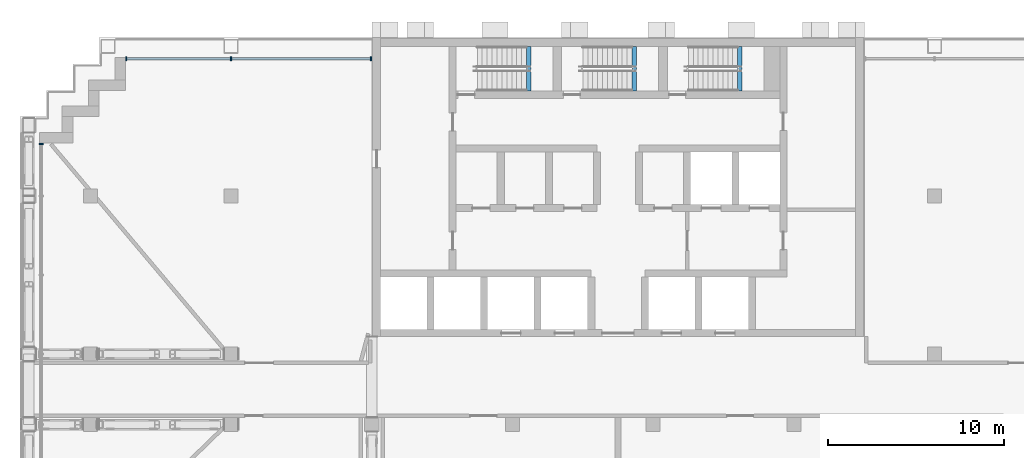
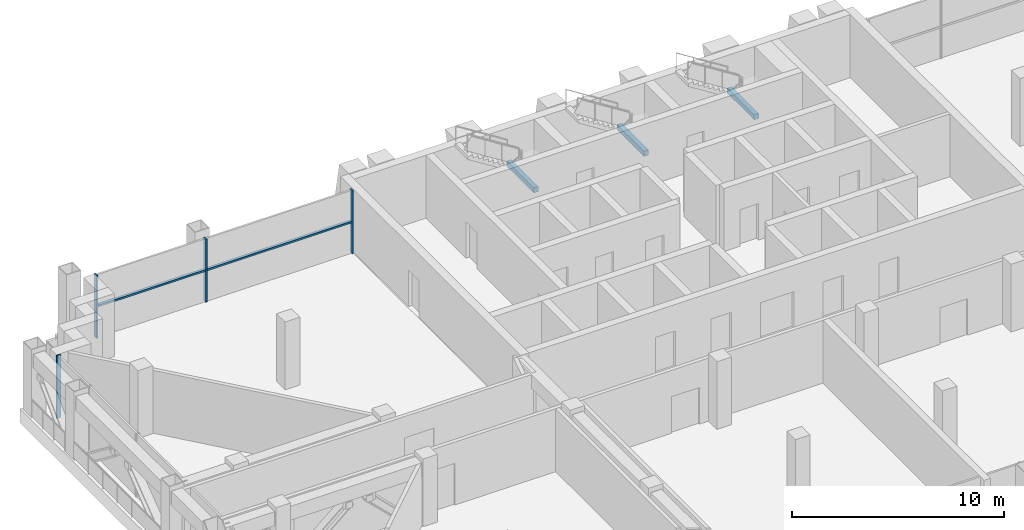
# One storey, part 5 of 25: 6 members, 3 beams, 2 elements without a shape of their own.
"""IFC4 building model written with IfcOpenShell, lengths in metres."""

from ifc_helpers import new_model, si_unit, direction, frame, origin, origin_2d, place, context, subcontext, project, spatial, rectangle, extrude, material, material_profile, profile_set, type_object, element, aggregate, save


model = new_model("IFC4")

# Units and contexts
model_context = context("Model", 3, precision=1e-05, world=origin(), true_north=direction((0.0, 1.0)))
body_context = subcontext(model_context, "Body", "Model", "MODEL_VIEW")
ifc_project = project(units=[si_unit("LENGTHUNIT", "METRE"), si_unit("AREAUNIT", "SQUARE_METRE"), si_unit("VOLUMEUNIT", "CUBIC_METRE"), si_unit("PLANEANGLEUNIT", "RADIAN"), si_unit("MASSUNIT", "GRAM", prefix="KILO")], contexts=[model_context])

# Site, building, storey
site_placement = place(None, origin())
site = spatial("IfcSite", under=ifc_project, at=site_placement, CompositionType="ELEMENT")
building_placement = place(site_placement, origin())
building = spatial("IfcBuilding", under=site, at=building_placement, Name="Vidyagriha Tower", CompositionType="ELEMENT")
storey_placement = place(building_placement, frame((0.0, 0.0, 115.89990234375)))
storey = spatial("IfcBuildingStorey", under=building, at=storey_placement, Name="L29", CompositionType="ELEMENT", Elevation=115.89990234375)

# Curtain wall, members
ifc_material_1 = material(Name="Aluminium and glass curtain wall", Category="aluminium")
curtain_wall_type = type_object("IfcCurtainWallType", Name="Plant louvre wall", PredefinedType="USERDEFINED", material=ifc_material_1)
curtain_wall_1_placement = place(storey_placement, origin())
curtain_wall_1 = element("IfcCurtainWall", 1, at=curtain_wall_1_placement, inside=storey, type_object=curtain_wall_type, Name="CW7 plant louvre wall", ObjectType="STICK GLAZING", PredefinedType="USERDEFINED")
ifc_material_2 = material(Name="Aluminium black anodised", Category="aluminium")
ifc_material_profile_1 = material_profile(ifc_material_2, rectangle(XDim=0.219970703125, YDim=0.080078125, at=origin_2d()), Name="Mullion 80x220 black aluminium")
ifc_profile_set_1 = profile_set([ifc_material_profile_1], Name="Aluminium black anodised")
member_type_1 = type_object("IfcMemberType", Name="Mullion 80x220 black aluminium", PredefinedType="MULLION", material=ifc_profile_set_1)
member_1_placement = place(storey_placement, frame((-14.0400390625, 18.800048828125, 0.0), z_axis=(0.0, 0.0, 1.0), x_axis=(0.0, -1.0, 0.0)))
member_1 = element("IfcMember", 2, at=member_1_placement, type_object=member_type_1, Name="CW7 mullion 1", PredefinedType="MULLION", context=body_context, shape_type="SweptSolid", body=[
    extrude(rectangle(XDim=0.219970703125, YDim=0.080078125, at=origin_2d()), origin(), (0.0, 0.0, 1.0), 3.6201171875),
])
member_2_placement = place(storey_placement, frame((-22.0, 18.800048828125, 0.0), z_axis=(0.0, 0.0, 1.0), x_axis=(0.0, -1.0, 0.0)))
member_2 = element("IfcMember", 3, at=member_2_placement, type_object=member_type_1, Name="CW7 mullion 2", PredefinedType="MULLION", context=body_context, shape_type="SweptSolid", body=[
    extrude(rectangle(XDim=0.219970703125, YDim=0.080078125, at=origin_2d()), origin(), (0.0, 0.0, 1.0), 3.6201171875),
])
member_3_placement = place(storey_placement, frame((-27.9599609375, 18.800048828125, 0.0), z_axis=(0.0, 0.0, 1.0), x_axis=(0.0, -1.0, 0.0)))
member_3 = element("IfcMember", 4, at=member_3_placement, type_object=member_type_1, Name="CW7 mullion 3", PredefinedType="MULLION", context=body_context, shape_type="SweptSolid", body=[
    extrude(rectangle(XDim=0.219970703125, YDim=0.080078125, at=origin_2d()), origin(), (0.0, 0.0, 1.0), 3.6201171875),
])

# Curtain wall, member
curtain_wall_2_placement = place(storey_placement, origin())
curtain_wall_2 = element("IfcCurtainWall", 5, at=curtain_wall_2_placement, inside=storey, type_object=curtain_wall_type, Name="CW7 plant louvre wall", ObjectType="STICK GLAZING", PredefinedType="USERDEFINED")
member_4_placement = place(storey_placement, frame((-32.800048828125, 13.9599609375, 0.0)))
member_4 = element("IfcMember", 6, at=member_4_placement, type_object=member_type_1, Name="CW7 mullion 1", PredefinedType="MULLION", context=body_context, shape_type="SweptSolid", body=[
    extrude(rectangle(XDim=0.219970703125, YDim=0.080078125, at=origin_2d()), origin(), (0.0, 0.0, 1.0), 3.6201171875),
])
aggregate(curtain_wall_2, [member_4])

# Beams
ifc_material_3 = material(Name="Concrete C40/50", Category="concrete")
ifc_material_profile_2 = material_profile(ifc_material_3, rectangle(XDim=0.25, YDim=0.300048828125, at=origin_2d()), Name="Stair landing bearing beam 250x300")
ifc_profile_set_2 = profile_set([ifc_material_profile_2], Name="Concrete C40/50")
beam_type = type_object("IfcBeamType", Name="Stair landing bearing beam 250x300", PredefinedType="BEAM", material=ifc_profile_set_2)
for number, where, z_axis, x_axis, name in (
    (7, (-5.074951171875, 16.949951171875, 1.60009765625), (0.0, 1.0, 0.0), (-1.0, 0.0, 0.0), "ST1 landing bearing beam L29"),
    (8, (0.925048828125, 16.949951171875, 1.60009765625), (0.0, 1.0, 0.0), (-1.0, 0.0, 0.0), "ST2 landing bearing beam L29"),
    (9, (6.925048828125, 16.949951171875, 1.60009765625), (0.0, 1.0, 0.0), (-1.0, 0.0, 0.0), "ST3 landing bearing beam L29"),
):
    element("IfcBeam", number, at=place(storey_placement, frame(where, z_axis=z_axis, x_axis=x_axis)), inside=storey, type_object=beam_type, Name=name, PredefinedType="BEAM", context=body_context, shape_type="SweptSolid", body=[
        extrude(rectangle(XDim=0.25, YDim=0.300048828125, at=origin_2d()), origin(), (0.0, 0.0, 1.0), 2.550048828125),
    ])

# Member
ifc_material_4 = material(Name="Aluminium black anodised", Category="aluminium")
ifc_material_profile_3 = material_profile(ifc_material_4, rectangle(XDim=0.159912109375, YDim=0.10009765625, at=origin_2d()), Name="Transom 100x160 black aluminium")
ifc_profile_set_3 = profile_set([ifc_material_profile_3], Name="Aluminium black anodised")
member_type_2 = type_object("IfcMemberType", Name="Transom 100x160 black aluminium", PredefinedType="USERDEFINED", material=ifc_profile_set_3)
member_5_placement = place(storey_placement, frame((-14.080078125, 18.800048828125, 1.81005859375), z_axis=(-1.0, 0.0, 0.0), x_axis=(0.0, -1.0, 0.0)))
member_5 = element("IfcMember", 10, at=member_5_placement, type_object=member_type_2, Name="CW7 transom 1.1", ObjectType="TRANSOM", PredefinedType="USERDEFINED", context=body_context, shape_type="SweptSolid", body=[
    extrude(rectangle(XDim=0.159912109375, YDim=0.10009765625, at=origin_2d()), origin(), (0.0, 0.0, 1.0), 7.8798828125),
])

member_6_placement = place(storey_placement, frame((-22.0400390625, 18.800048828125, 1.81005859375), z_axis=(-1.0, 0.0, 0.0), x_axis=(0.0, -1.0, 0.0)))
member_6 = element("IfcMember", 11, at=member_6_placement, type_object=member_type_2, Name="CW7 transom 2.1", ObjectType="TRANSOM", PredefinedType="USERDEFINED", context=body_context, shape_type="SweptSolid", body=[
    extrude(rectangle(XDim=0.159912109375, YDim=0.10009765625, at=origin_2d()), origin(), (0.0, 0.0, 1.0), 5.8798828125),
])

aggregate(curtain_wall_1, [member_1, member_2, member_3, member_5, member_6])

save(model, "model.ifc")
